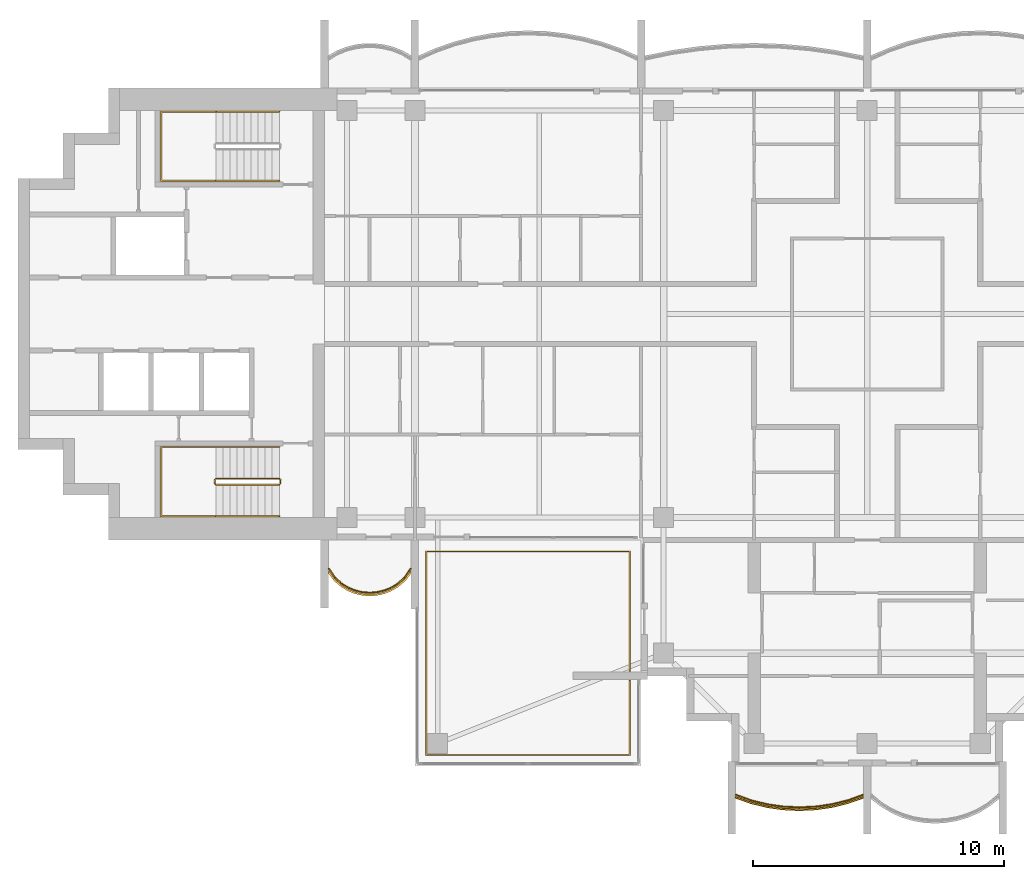
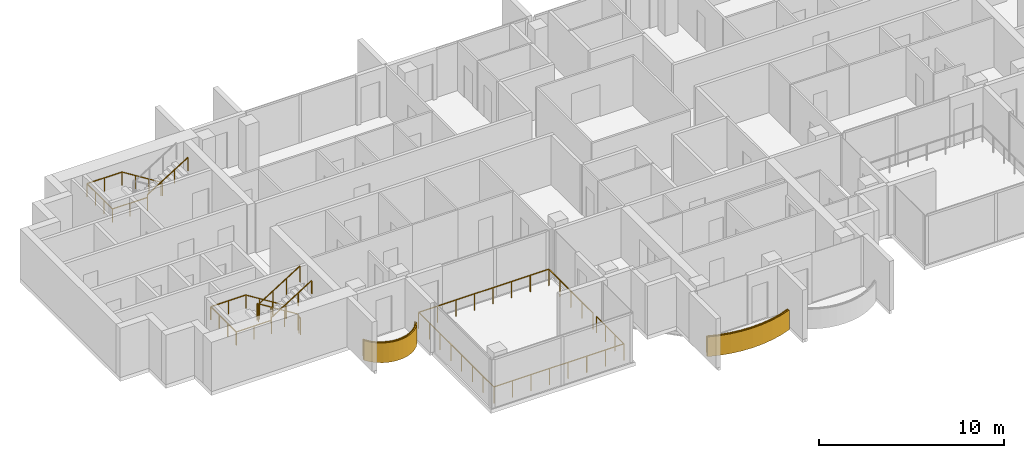
# One storey, part 13 of 16: 6 railings, 2 coverings.
"""IFC4 building model written with IfcOpenShell, lengths in metres."""

from ifc_helpers import new_model, si_unit, direction, frame, origin, origin_2d, place, context, subcontext, project, spatial, polyline, rectangle, outline, extrude, material, layer, layer_set, type_object, element, save


model = new_model("IFC4")

# Units and contexts
model_context = context("Model", 3, precision=1e-05, world=origin(), true_north=direction((0.0, 1.0)))
body_context = subcontext(model_context, "Body", "Model", "MODEL_VIEW")
ifc_project = project(units=[si_unit("LENGTHUNIT", "METRE"), si_unit("AREAUNIT", "SQUARE_METRE"), si_unit("VOLUMEUNIT", "CUBIC_METRE"), si_unit("PLANEANGLEUNIT", "RADIAN"), si_unit("MASSUNIT", "GRAM", prefix="KILO")], contexts=[model_context])

# Site, building, storey
site_placement = place(None, origin())
site = spatial("IfcSite", under=ifc_project, at=site_placement, CompositionType="ELEMENT")
building_placement = place(site_placement, origin())
building = spatial("IfcBuilding", under=site, at=building_placement, Name="Perihelion Cross Residences", CompositionType="ELEMENT")
storey_placement = place(building_placement, frame((0.0, 0.0, 257.0)))
storey = spatial("IfcBuildingStorey", under=building, at=storey_placement, Name="L65", CompositionType="ELEMENT", Elevation=257.0)

# Coverings
ifc_material_1 = material(Name="Bronze anodised aluminium", Category="aluminium")
ifc_layer = layer(ifc_material_1, 0.070068359375)
ifc_layer_set = layer_set([ifc_layer], Name="Balcony fascia 1300")
covering_type = type_object("IfcCoveringType", Name="Balcony fascia 1300", PredefinedType="CLADDING", material=ifc_layer_set)
covering_1_placement = place(storey_placement, frame((0.0, 0.0, -0.199951171875)))
element("IfcCovering", 1, at=covering_1_placement, inside=storey, type_object=covering_type, Name="Fascia BF1 L65 west side south bay 1", PredefinedType="CLADDING", context=body_context, shape_type="SweptSolid", body=[
    extrude(outline(polyline([(-21.226318359375, -10.616455078125), (-20.94091796875, -10.86328125), (-20.655517578125, -11.031494140625), (-20.370361328125, -11.142578125), (-20.085205078125, -11.206298828125), (-19.800048828125, -11.22705078125), (-19.514892578125, -11.206298828125), (-19.229736328125, -11.142578125), (-18.9443359375, -11.031494140625), (-18.6591796875, -10.86328125), (-18.373779296875, -10.616455078125), (-18.14990234375, -10.31689453125), (-18.14990234375, -10.199951171875), (-18.425048828125, -10.568603515625), (-18.699951171875, -10.806396484375), (-18.97509765625, -10.96875), (-19.25, -11.07568359375), (-19.52490234375, -11.136962890625), (-19.800048828125, -11.156982421875), (-20.074951171875, -11.136962890625), (-20.35009765625, -11.07568359375), (-20.625, -10.96875), (-20.89990234375, -10.806396484375), (-21.175048828125, -10.568603515625), (-21.449951171875, -10.199951171875), (-21.449951171875, -10.31689453125), (-21.226318359375, -10.616455078125)])), origin(), (0.0, 0.0, 1.0), 1.300048828125),
])
covering_2_placement = place(storey_placement, frame((0.0, 0.0, -0.199951171875)))
element("IfcCovering", 2, at=covering_2_placement, inside=storey, type_object=covering_type, Name="Fascia BF1 L65 south tip south bay 1", PredefinedType="CLADDING", context=body_context, shape_type="SweptSolid", body=[
    extrude(outline(polyline([(-4.63232421875, -19.49072265625), (-3.98828125, -19.647216796875), (-3.34423828125, -19.739501953125), (-2.699951171875, -19.77001953125), (-2.055908203125, -19.739501953125), (-1.411865234375, -19.647216796875), (-0.767578125, -19.49072265625), (-0.14990234375, -19.274169921875), (-0.14990234375, -19.199951171875), (-0.78759765625, -19.423583984375), (-1.425048828125, -19.57861328125), (-2.0625, -19.669921875), (-2.699951171875, -19.699951171875), (-3.33740234375, -19.669921875), (-3.97509765625, -19.57861328125), (-4.612548828125, -19.423583984375), (-5.25, -19.199951171875), (-5.25, -19.274169921875), (-4.63232421875, -19.49072265625)])), origin(), (0.0, 0.0, 1.0), 1.300048828125),
])

# Railings
ifc_material_2 = material(Name="Bronze anodised aluminium", Category="aluminium")
railing_type_1 = type_object("IfcRailingType", Name="Balcony guard 1100", PredefinedType="GUARDRAIL", material=ifc_material_2)
railing_1_placement = place(storey_placement, frame((-21.425048828125, -10.139892578125, 0.0)))
element("IfcRailing", 3, at=railing_1_placement, inside=storey, type_object=railing_type_1, Name="Guard GU1 L65 west side south bay 1 balcony", PredefinedType="GUARDRAIL", context=body_context, shape_type="SweptSolid", body=[
    extrude(rectangle(XDim=0.048095703125, YDim=0.048095703125, at=origin_2d()), frame((0.0, 0.0, 1.076171875), z_axis=(0.561260132269, -0.827639452857, 0.0), x_axis=(0.827639452857, 0.561260132269, 0.0)), (0.0, 0.0, 1.0), 0.4453125),
    extrude(rectangle(XDim=0.048095703125, YDim=0.048095703125, at=origin_2d()), frame((0.25, -0.36865234375, 1.076171875), z_axis=(0.756596535164, -0.653882009982, 0.0), x_axis=(0.653882009982, 0.756596535164, 0.0)), (0.0, 0.0, 1.0), 0.36376953125),
    extrude(rectangle(XDim=0.048095703125, YDim=0.048095703125, at=origin_2d()), frame((0.525146484375, -0.6064453125, 1.076171875), z_axis=(0.861048292884, -0.508523192511, 0.0), x_axis=(0.508523192511, 0.861048292884, 0.0)), (0.0, 0.0, 1.0), 0.3193359375),
    extrude(rectangle(XDim=0.048095703125, YDim=0.048095703125, at=origin_2d()), frame((0.800048828125, -0.768798828125, 1.076171875), z_axis=(0.931973602183, -0.362526143656, 0.0), x_axis=(0.362526143656, 0.931973602183, 0.0)), (0.0, 0.0, 1.0), 0.294921875),
    extrude(rectangle(XDim=0.048095703125, YDim=0.048095703125, at=origin_2d()), frame((1.074951171875, -0.875732421875, 1.076171875), z_axis=(0.976085059389, -0.21738895289, 0.0), x_axis=(0.21738895289, 0.976085059389, 0.0)), (0.0, 0.0, 1.0), 0.281982421875),
    extrude(rectangle(XDim=0.048095703125, YDim=0.048095703125, at=origin_2d()), frame((1.35009765625, -0.93701171875, 1.076171875), z_axis=(0.997358821833, -0.072631814734, 0.0), x_axis=(0.072631814734, 0.997358821833, 0.0)), (0.0, 0.0, 1.0), 0.275634765625),
    extrude(rectangle(XDim=0.048095703125, YDim=0.048095703125, at=origin_2d()), frame((1.625, -0.95703125, 1.076171875), z_axis=(0.997363488337, 0.072567707226, 0.0), x_axis=(-0.072567707226, 0.997363488337, 0.0)), (0.0, 0.0, 1.0), 0.27587890625),
    extrude(rectangle(XDim=0.048095703125, YDim=0.048095703125, at=origin_2d()), frame((1.900146484375, -0.93701171875, 1.076171875), z_axis=(0.976044077717, 0.217572880557, 0.0), x_axis=(-0.217572880557, 0.976044077717, 0.0)), (0.0, 0.0, 1.0), 0.28173828125),
    extrude(rectangle(XDim=0.048095703125, YDim=0.048095703125, at=origin_2d()), frame((2.175048828125, -0.875732421875, 1.076171875), z_axis=(0.931973602183, 0.362526143656, 0.0), x_axis=(-0.362526143656, 0.931973602183, 0.0)), (0.0, 0.0, 1.0), 0.294921875),
    extrude(rectangle(XDim=0.048095703125, YDim=0.048095703125, at=origin_2d()), frame((2.449951171875, -0.768798828125, 1.076171875), z_axis=(0.861245845072, 0.508188542123, 0.0), x_axis=(-0.508188542123, 0.861245845072, 0.0)), (0.0, 0.0, 1.0), 0.319580078125),
    extrude(rectangle(XDim=0.048095703125, YDim=0.048095703125, at=origin_2d()), frame((2.72509765625, -0.6064453125, 1.076171875), z_axis=(0.756309278473, 0.654214242658, 0.0), x_axis=(-0.654214242658, 0.756309278473, 0.0)), (0.0, 0.0, 1.0), 0.363525390625),
    extrude(rectangle(XDim=0.048095703125, YDim=0.048095703125, at=origin_2d()), frame((3.0, -0.36865234375, 1.076171875), z_axis=(0.561260132269, 0.827639452857, 0.0), x_axis=(-0.827639452857, 0.561260132269, 0.0)), (0.0, 0.0, 1.0), 0.4453125),
    extrude(rectangle(XDim=0.0419921875, YDim=0.0419921875, at=origin_2d()), origin(), (0.0, 0.0, 1.0), 1.052001953125),
    extrude(rectangle(XDim=0.0419921875, YDim=0.0419921875, at=origin_2d()), frame((0.25, -0.36865234375, 0.0)), (0.0, 0.0, 1.0), 1.052001953125),
    extrude(rectangle(XDim=0.0419921875, YDim=0.0419921875, at=origin_2d()), frame((0.525146484375, -0.6064453125, 0.0)), (0.0, 0.0, 1.0), 1.052001953125),
    extrude(rectangle(XDim=0.0419921875, YDim=0.0419921875, at=origin_2d()), frame((0.800048828125, -0.768798828125, 0.0)), (0.0, 0.0, 1.0), 1.052001953125),
    extrude(rectangle(XDim=0.0419921875, YDim=0.0419921875, at=origin_2d()), frame((1.074951171875, -0.875732421875, 0.0)), (0.0, 0.0, 1.0), 1.052001953125),
    extrude(rectangle(XDim=0.0419921875, YDim=0.0419921875, at=origin_2d()), frame((1.35009765625, -0.93701171875, 0.0)), (0.0, 0.0, 1.0), 1.052001953125),
    extrude(rectangle(XDim=0.0419921875, YDim=0.0419921875, at=origin_2d()), frame((1.625, -0.95703125, 0.0)), (0.0, 0.0, 1.0), 1.052001953125),
    extrude(rectangle(XDim=0.0419921875, YDim=0.0419921875, at=origin_2d()), frame((1.900146484375, -0.93701171875, 0.0)), (0.0, 0.0, 1.0), 1.052001953125),
    extrude(rectangle(XDim=0.0419921875, YDim=0.0419921875, at=origin_2d()), frame((2.175048828125, -0.875732421875, 0.0)), (0.0, 0.0, 1.0), 1.052001953125),
    extrude(rectangle(XDim=0.0419921875, YDim=0.0419921875, at=origin_2d()), frame((2.449951171875, -0.768798828125, 0.0)), (0.0, 0.0, 1.0), 1.052001953125),
    extrude(rectangle(XDim=0.0419921875, YDim=0.0419921875, at=origin_2d()), frame((2.72509765625, -0.6064453125, 0.0)), (0.0, 0.0, 1.0), 1.052001953125),
    extrude(rectangle(XDim=0.0419921875, YDim=0.0419921875, at=origin_2d()), frame((3.0, -0.36865234375, 0.0)), (0.0, 0.0, 1.0), 1.052001953125),
    extrude(rectangle(XDim=0.0419921875, YDim=0.0419921875, at=origin_2d()), frame((3.25, 0.0, 0.0)), (0.0, 0.0, 1.0), 1.052001953125),
])
railing_2_placement = place(storey_placement, frame((-5.22509765625, -19.139892578125, 0.0)))
element("IfcRailing", 4, at=railing_2_placement, inside=storey, type_object=railing_type_1, Name="Guard GU1 L65 south tip south bay 1 balcony", PredefinedType="GUARDRAIL", context=body_context, shape_type="SweptSolid", body=[
    extrude(rectangle(XDim=0.048095703125, YDim=0.048095703125, at=origin_2d()), frame((0.0, 0.0, 1.076171875), z_axis=(0.939355405384, -0.342945217749, 0.0), x_axis=(0.342945217749, 0.939355405384, 0.0)), (0.0, 0.0, 1.0), 0.652099609375),
    extrude(rectangle(XDim=0.048095703125, YDim=0.048095703125, at=origin_2d()), frame((0.612548828125, -0.2236328125, 1.076171875), z_axis=(0.971676841941, -0.236313594268, 0.0), x_axis=(0.236313594268, 0.971676841941, 0.0)), (0.0, 0.0, 1.0), 0.656005859375),
    extrude(rectangle(XDim=0.048095703125, YDim=0.048095703125, at=origin_2d()), frame((1.25, -0.378662109375, 1.076171875), z_axis=(0.989903964498, -0.141739694763, 0.0), x_axis=(0.141739694763, 0.989903964498, 0.0)), (0.0, 0.0, 1.0), 0.644287109375),
    extrude(rectangle(XDim=0.048095703125, YDim=0.048095703125, at=origin_2d()), frame((1.8876953125, -0.469970703125, 1.076171875), z_axis=(0.998892243319, -0.04705620296, 0.0), x_axis=(0.04705620296, 0.998892243319, 0.0)), (0.0, 0.0, 1.0), 0.63818359375),
    extrude(rectangle(XDim=0.048095703125, YDim=0.048095703125, at=origin_2d()), frame((2.525146484375, -0.5, 1.076171875), z_axis=(0.998892243319, 0.04705620296, 0.0), x_axis=(-0.04705620296, 0.998892243319, 0.0)), (0.0, 0.0, 1.0), 0.63818359375),
    extrude(rectangle(XDim=0.048095703125, YDim=0.048095703125, at=origin_2d()), frame((3.16259765625, -0.469970703125, 1.076171875), z_axis=(0.989896346386, 0.141792889142, 0.0), x_axis=(-0.141792889142, 0.989896346386, 0.0)), (0.0, 0.0, 1.0), 0.64404296875),
    extrude(rectangle(XDim=0.048095703125, YDim=0.048095703125, at=origin_2d()), frame((3.800048828125, -0.378662109375, 1.076171875), z_axis=(0.971676841941, 0.236313594268, 0.0), x_axis=(-0.236313594268, 0.971676841941, 0.0)), (0.0, 0.0, 1.0), 0.656005859375),
    extrude(rectangle(XDim=0.048095703125, YDim=0.048095703125, at=origin_2d()), frame((4.4375, -0.2236328125, 1.076171875), z_axis=(0.939355405384, 0.342945217749, 0.0), x_axis=(-0.342945217749, 0.939355405384, 0.0)), (0.0, 0.0, 1.0), 0.652099609375),
    extrude(rectangle(XDim=0.0419921875, YDim=0.0419921875, at=origin_2d()), origin(), (0.0, 0.0, 1.0), 1.052001953125),
    extrude(rectangle(XDim=0.0419921875, YDim=0.0419921875, at=origin_2d()), frame((0.612548828125, -0.2236328125, 0.0)), (0.0, 0.0, 1.0), 1.052001953125),
    extrude(rectangle(XDim=0.0419921875, YDim=0.0419921875, at=origin_2d()), frame((1.25, -0.378662109375, 0.0)), (0.0, 0.0, 1.0), 1.052001953125),
    extrude(rectangle(XDim=0.0419921875, YDim=0.0419921875, at=origin_2d()), frame((1.8876953125, -0.469970703125, 0.0)), (0.0, 0.0, 1.0), 1.052001953125),
    extrude(rectangle(XDim=0.0419921875, YDim=0.0419921875, at=origin_2d()), frame((2.525146484375, -0.5, 0.0)), (0.0, 0.0, 1.0), 1.052001953125),
    extrude(rectangle(XDim=0.0419921875, YDim=0.0419921875, at=origin_2d()), frame((3.16259765625, -0.469970703125, 0.0)), (0.0, 0.0, 1.0), 1.052001953125),
    extrude(rectangle(XDim=0.0419921875, YDim=0.0419921875, at=origin_2d()), frame((3.800048828125, -0.378662109375, 0.0)), (0.0, 0.0, 1.0), 1.052001953125),
    extrude(rectangle(XDim=0.0419921875, YDim=0.0419921875, at=origin_2d()), frame((4.4375, -0.2236328125, 0.0)), (0.0, 0.0, 1.0), 1.052001953125),
    extrude(rectangle(XDim=0.0419921875, YDim=0.0419921875, at=origin_2d()), frame((5.050048828125, 0.0, 0.0)), (0.0, 0.0, 1.0), 1.052001953125),
])
railing_3_placement = place(storey_placement, frame((-9.449951171875, -14.590087890625, 0.0)))
element("IfcRailing", 5, at=railing_3_placement, inside=storey, type_object=railing_type_1, Name="Guard GU1 L65 pocket south-west 1", PredefinedType="GUARDRAIL", context=body_context, shape_type="SweptSolid", body=[
    extrude(rectangle(XDim=0.048095703125, YDim=0.048095703125, at=origin_2d()), frame((0.0, 0.0, 1.076171875), z_axis=(0.0, -1.0, 0.0), x_axis=(1.0, 0.0, 0.0)), (0.0, 0.0, 1.0), 2.9599609375),
    extrude(rectangle(XDim=0.048095703125, YDim=0.048095703125, at=origin_2d()), frame((0.0, -2.9599609375, 1.076171875), z_axis=(-1.0, 0.0, 0.0), x_axis=(0.0, -1.0, 0.0)), (0.0, 0.0, 1.0), 8.10009765625),
    extrude(rectangle(XDim=0.048095703125, YDim=0.048095703125, at=origin_2d()), frame((-8.10009765625, -2.9599609375, 1.076171875), z_axis=(0.0, 1.0, 0.0), x_axis=(-1.0, 0.0, 0.0)), (0.0, 0.0, 1.0), 8.10009765625),
    extrude(rectangle(XDim=0.048095703125, YDim=0.048095703125, at=origin_2d()), frame((-8.10009765625, 5.14013671875, 1.076171875), z_axis=(1.0, 0.0, 0.0), x_axis=(0.0, 1.0, 0.0)), (0.0, 0.0, 1.0), 8.10009765625),
    extrude(rectangle(XDim=0.048095703125, YDim=0.048095703125, at=origin_2d()), frame((0.0, 5.14013671875, 1.076171875), z_axis=(0.0, -1.0, 0.0), x_axis=(1.0, 0.0, 0.0)), (0.0, 0.0, 1.0), 4.760009765625),
    extrude(rectangle(XDim=0.0419921875, YDim=0.0419921875, at=origin_2d()), origin(), (0.0, 0.0, 1.0), 1.052001953125),
    extrude(rectangle(XDim=0.0419921875, YDim=0.0419921875, at=origin_2d()), frame((0.0, -0.986572265625, 0.0)), (0.0, 0.0, 1.0), 1.052001953125),
    extrude(rectangle(XDim=0.0419921875, YDim=0.0419921875, at=origin_2d()), frame((0.0, -1.973388671875, 0.0)), (0.0, 0.0, 1.0), 1.052001953125),
    extrude(rectangle(XDim=0.0419921875, YDim=0.0419921875, at=origin_2d()), frame((0.0, -2.9599609375, 0.0)), (0.0, 0.0, 1.0), 1.052001953125),
    extrude(rectangle(XDim=0.0419921875, YDim=0.0419921875, at=origin_2d()), frame((-1.1572265625, -2.9599609375, 0.0)), (0.0, 0.0, 1.0), 1.052001953125),
    extrude(rectangle(XDim=0.0419921875, YDim=0.0419921875, at=origin_2d()), frame((-2.314208984375, -2.9599609375, 0.0)), (0.0, 0.0, 1.0), 1.052001953125),
    extrude(rectangle(XDim=0.0419921875, YDim=0.0419921875, at=origin_2d()), frame((-3.471435546875, -2.9599609375, 0.0)), (0.0, 0.0, 1.0), 1.052001953125),
    extrude(rectangle(XDim=0.0419921875, YDim=0.0419921875, at=origin_2d()), frame((-4.628662109375, -2.9599609375, 0.0)), (0.0, 0.0, 1.0), 1.052001953125),
    extrude(rectangle(XDim=0.0419921875, YDim=0.0419921875, at=origin_2d()), frame((-5.785888671875, -2.9599609375, 0.0)), (0.0, 0.0, 1.0), 1.052001953125),
    extrude(rectangle(XDim=0.0419921875, YDim=0.0419921875, at=origin_2d()), frame((-6.94287109375, -2.9599609375, 0.0)), (0.0, 0.0, 1.0), 1.052001953125),
    extrude(rectangle(XDim=0.0419921875, YDim=0.0419921875, at=origin_2d()), frame((-8.10009765625, -2.9599609375, 0.0)), (0.0, 0.0, 1.0), 1.052001953125),
    extrude(rectangle(XDim=0.0419921875, YDim=0.0419921875, at=origin_2d()), frame((-8.10009765625, -1.802734375, 0.0)), (0.0, 0.0, 1.0), 1.052001953125),
    extrude(rectangle(XDim=0.0419921875, YDim=0.0419921875, at=origin_2d()), frame((-8.10009765625, -0.645751953125, 0.0)), (0.0, 0.0, 1.0), 1.052001953125),
    extrude(rectangle(XDim=0.0419921875, YDim=0.0419921875, at=origin_2d()), frame((-8.10009765625, 0.511474609375, 0.0)), (0.0, 0.0, 1.0), 1.052001953125),
    extrude(rectangle(XDim=0.0419921875, YDim=0.0419921875, at=origin_2d()), frame((-8.10009765625, 1.668701171875, 0.0)), (0.0, 0.0, 1.0), 1.052001953125),
    extrude(rectangle(XDim=0.0419921875, YDim=0.0419921875, at=origin_2d()), frame((-8.10009765625, 2.825927734375, 0.0)), (0.0, 0.0, 1.0), 1.052001953125),
    extrude(rectangle(XDim=0.0419921875, YDim=0.0419921875, at=origin_2d()), frame((-8.10009765625, 3.98291015625, 0.0)), (0.0, 0.0, 1.0), 1.052001953125),
    extrude(rectangle(XDim=0.0419921875, YDim=0.0419921875, at=origin_2d()), frame((-8.10009765625, 5.14013671875, 0.0)), (0.0, 0.0, 1.0), 1.052001953125),
    extrude(rectangle(XDim=0.0419921875, YDim=0.0419921875, at=origin_2d()), frame((-6.94287109375, 5.14013671875, 0.0)), (0.0, 0.0, 1.0), 1.052001953125),
    extrude(rectangle(XDim=0.0419921875, YDim=0.0419921875, at=origin_2d()), frame((-5.785888671875, 5.14013671875, 0.0)), (0.0, 0.0, 1.0), 1.052001953125),
    extrude(rectangle(XDim=0.0419921875, YDim=0.0419921875, at=origin_2d()), frame((-4.628662109375, 5.14013671875, 0.0)), (0.0, 0.0, 1.0), 1.052001953125),
    extrude(rectangle(XDim=0.0419921875, YDim=0.0419921875, at=origin_2d()), frame((-3.471435546875, 5.14013671875, 0.0)), (0.0, 0.0, 1.0), 1.052001953125),
    extrude(rectangle(XDim=0.0419921875, YDim=0.0419921875, at=origin_2d()), frame((-2.314208984375, 5.14013671875, 0.0)), (0.0, 0.0, 1.0), 1.052001953125),
    extrude(rectangle(XDim=0.0419921875, YDim=0.0419921875, at=origin_2d()), frame((-1.1572265625, 5.14013671875, 0.0)), (0.0, 0.0, 1.0), 1.052001953125),
    extrude(rectangle(XDim=0.0419921875, YDim=0.0419921875, at=origin_2d()), frame((0.0, 5.14013671875, 0.0)), (0.0, 0.0, 1.0), 1.052001953125),
    extrude(rectangle(XDim=0.0419921875, YDim=0.0419921875, at=origin_2d()), frame((0.0, 3.9501953125, 0.0)), (0.0, 0.0, 1.0), 1.052001953125),
    extrude(rectangle(XDim=0.0419921875, YDim=0.0419921875, at=origin_2d()), frame((0.0, 2.76025390625, 0.0)), (0.0, 0.0, 1.0), 1.052001953125),
    extrude(rectangle(XDim=0.0419921875, YDim=0.0419921875, at=origin_2d()), frame((0.0, 1.570068359375, 0.0)), (0.0, 0.0, 1.0), 1.052001953125),
    extrude(rectangle(XDim=0.0419921875, YDim=0.0419921875, at=origin_2d()), frame((0.0, 0.380126953125, 0.0)), (0.0, 0.0, 1.0), 1.052001953125),
])
ifc_material_3 = material(Name="Stainless steel", Category="steel")
railing_type_2 = type_object("IfcRailingType", Name="Stair guard 1100", PredefinedType="GUARDRAIL", material=ifc_material_3)
railing_4_placement = place(storey_placement, frame((-23.35009765625, -6.75, 0.0)))
element("IfcRailing", 6, at=railing_4_placement, inside=storey, type_object=railing_type_2, Name="L65 ST-W2 stair guard 1", PredefinedType="GUARDRAIL", context=body_context, shape_type="SweptSolid", body=[
    extrude(rectangle(XDim=0.048095703125, YDim=0.048095703125, at=origin_2d()), frame((0.0, 0.0, 1.076171875), z_axis=(0.0, 1.0, 0.0), x_axis=(-1.0, 0.0, 0.0)), (0.0, 0.0, 1.0), 0.14990234375),
    extrude(rectangle(XDim=0.048095703125, YDim=0.048095703125, at=origin_2d()), frame((0.0, 0.14990234375, 1.076171875), z_axis=(-0.263862480399, 0.265155923931, 0.927399011991), x_axis=(-0.708833529934, -0.705375805398, 0.0)), (0.0, 0.0, 1.0), 0.188720703125),
    extrude(rectangle(XDim=0.048095703125, YDim=0.048095703125, at=origin_2d()), frame((-0.0498046875, 0.199951171875, 1.2509765625), z_axis=(-0.848007534815, 0.0, 0.529984170421), x_axis=(0.0, -1.0, 0.0)), (0.0, 0.0, 1.0), 2.9716796875),
    extrude(rectangle(XDim=0.048095703125, YDim=0.048095703125, at=origin_2d()), frame((-2.56982421875, 0.199951171875, 2.826171875), z_axis=(-0.707106781187, -0.707106781187, 0.0), x_axis=(0.707106781187, -0.707106781187, 0.0)), (0.0, 0.0, 1.0), 0.07080078125),
    extrude(rectangle(XDim=0.048095703125, YDim=0.048095703125, at=origin_2d()), frame((-2.619873046875, 0.14990234375, 2.826171875), z_axis=(0.0, -1.0, 0.0), x_axis=(1.0, 0.0, 0.0)), (0.0, 0.0, 1.0), 0.14990234375),
    extrude(rectangle(XDim=0.048095703125, YDim=0.048095703125, at=origin_2d()), frame((-2.619873046875, 0.0, 2.826171875), z_axis=(0.265065253269, -0.265065253269, 0.927081885822), x_axis=(0.707106781187, 0.707106781187, 0.0)), (0.0, 0.0, 1.0), 0.188720703125),
    extrude(rectangle(XDim=0.048095703125, YDim=0.048095703125, at=origin_2d()), frame((-2.56982421875, -0.050048828125, 3.0009765625), z_axis=(0.848007534815, 0.0, 0.529984170421), x_axis=(0.0, 1.0, 0.0)), (0.0, 0.0, 1.0), 2.9716796875),
    extrude(rectangle(XDim=0.0419921875, YDim=0.0419921875, at=origin_2d()), origin(), (0.0, 0.0, 1.0), 1.052001953125),
    extrude(rectangle(XDim=0.0419921875, YDim=0.0419921875, at=origin_2d()), frame((0.0, 0.14990234375, 0.0)), (0.0, 0.0, 1.0), 1.052001953125),
    extrude(rectangle(XDim=0.0419921875, YDim=0.0419921875, at=origin_2d()), frame((-0.0498046875, 0.199951171875, 0.175048828125)), (0.0, 0.0, 1.0), 1.052001953125),
    extrude(rectangle(XDim=0.0419921875, YDim=0.0419921875, at=origin_2d()), frame((-0.889892578125, 0.199951171875, 0.699951171875)), (0.0, 0.0, 1.0), 1.052001953125),
    extrude(rectangle(XDim=0.0419921875, YDim=0.0419921875, at=origin_2d()), frame((-1.729736328125, 0.199951171875, 1.22509765625)), (0.0, 0.0, 1.0), 1.052001953125),
    extrude(rectangle(XDim=0.0419921875, YDim=0.0419921875, at=origin_2d()), frame((-2.56982421875, 0.199951171875, 1.75)), (0.0, 0.0, 1.0), 1.052001953125),
    extrude(rectangle(XDim=0.0419921875, YDim=0.0419921875, at=origin_2d()), frame((-2.619873046875, 0.14990234375, 1.75)), (0.0, 0.0, 1.0), 1.052001953125),
    extrude(rectangle(XDim=0.0419921875, YDim=0.0419921875, at=origin_2d()), frame((-2.619873046875, 0.0, 1.75)), (0.0, 0.0, 1.0), 1.052001953125),
    extrude(rectangle(XDim=0.0419921875, YDim=0.0419921875, at=origin_2d()), frame((-2.56982421875, -0.050048828125, 1.925048828125)), (0.0, 0.0, 1.0), 1.052001953125),
    extrude(rectangle(XDim=0.0419921875, YDim=0.0419921875, at=origin_2d()), frame((-1.729736328125, -0.050048828125, 2.449951171875)), (0.0, 0.0, 1.0), 1.052001953125),
    extrude(rectangle(XDim=0.0419921875, YDim=0.0419921875, at=origin_2d()), frame((-0.889892578125, -0.050048828125, 2.97509765625)), (0.0, 0.0, 1.0), 1.052001953125),
    extrude(rectangle(XDim=0.0419921875, YDim=0.0419921875, at=origin_2d()), frame((-0.0498046875, -0.050048828125, 3.5)), (0.0, 0.0, 1.0), 1.052001953125),
])
ifc_material_4 = material(Name="Stainless steel", Category="steel")
railing_type_3 = type_object("IfcRailingType", Name="Stair handrail 900", PredefinedType="HANDRAIL", material=ifc_material_4)
railing_5_placement = place(storey_placement, frame((-23.39990234375, 8.050048828125, 0.175048828125)))
element("IfcRailing", 7, at=railing_5_placement, inside=storey, type_object=railing_type_3, Name="L65 ST-W1 stair handrail 1", PredefinedType="HANDRAIL", context=body_context, shape_type="SweptSolid", body=[
    extrude(rectangle(XDim=0.048095703125, YDim=0.048095703125, at=origin_2d()), frame((0.0, 0.0, 0.8759765625), z_axis=(-0.848007534815, 0.0, 0.529984170421), x_axis=(0.0, -1.0, 0.0)), (0.0, 0.0, 1.0), 2.9716796875),
    extrude(rectangle(XDim=0.048095703125, YDim=0.048095703125, at=origin_2d()), frame((-2.52001953125, 0.0, 2.45068359375), z_axis=(-1.0, 0.0, 0.0), x_axis=(0.0, -1.0, 0.0)), (0.0, 0.0, 1.0), 2.18017578125),
    extrude(rectangle(XDim=0.048095703125, YDim=0.048095703125, at=origin_2d()), frame((-4.7001953125, 0.0, 2.45068359375), z_axis=(0.0, -1.0, 0.0), x_axis=(1.0, 0.0, 0.0)), (0.0, 0.0, 1.0), 2.75),
    extrude(rectangle(XDim=0.048095703125, YDim=0.048095703125, at=origin_2d()), frame((-4.7001953125, -2.75, 2.45068359375), z_axis=(1.0, 0.0, 0.0), x_axis=(0.0, 1.0, 0.0)), (0.0, 0.0, 1.0), 2.18017578125),
    extrude(rectangle(XDim=0.048095703125, YDim=0.048095703125, at=origin_2d()), frame((-2.52001953125, -2.75, 2.45068359375), z_axis=(0.0, 0.0, 1.0), x_axis=(1.0, 0.0, 0.0)), (0.0, 0.0, 1.0), 0.175048828125),
    extrude(rectangle(XDim=0.048095703125, YDim=0.048095703125, at=origin_2d()), frame((-2.52001953125, -2.75, 2.6259765625), z_axis=(0.848007534815, 0.0, 0.529984170421), x_axis=(0.0, 1.0, 0.0)), (0.0, 0.0, 1.0), 2.9716796875),
    extrude(rectangle(XDim=0.0419921875, YDim=0.0419921875, at=origin_2d()), origin(), (0.0, 0.0, 1.0), 0.851806640625),
    extrude(rectangle(XDim=0.0419921875, YDim=0.0419921875, at=origin_2d()), frame((-0.840087890625, 0.0, 0.52490234375)), (0.0, 0.0, 1.0), 0.851806640625),
    extrude(rectangle(XDim=0.0419921875, YDim=0.0419921875, at=origin_2d()), frame((-1.679931640625, 0.0, 1.050048828125)), (0.0, 0.0, 1.0), 0.851806640625),
    extrude(rectangle(XDim=0.0419921875, YDim=0.0419921875, at=origin_2d()), frame((-2.52001953125, 0.0, 1.574951171875)), (0.0, 0.0, 1.0), 0.851806640625),
    extrude(rectangle(XDim=0.0419921875, YDim=0.0419921875, at=origin_2d()), frame((-3.610107421875, 0.0, 1.574951171875)), (0.0, 0.0, 1.0), 0.851806640625),
    extrude(rectangle(XDim=0.0419921875, YDim=0.0419921875, at=origin_2d()), frame((-4.7001953125, 0.0, 1.574951171875)), (0.0, 0.0, 1.0), 0.851806640625),
    extrude(rectangle(XDim=0.0419921875, YDim=0.0419921875, at=origin_2d()), frame((-4.7001953125, -0.916748046875, 1.574951171875)), (0.0, 0.0, 1.0), 0.851806640625),
    extrude(rectangle(XDim=0.0419921875, YDim=0.0419921875, at=origin_2d()), frame((-4.7001953125, -1.833251953125, 1.574951171875)), (0.0, 0.0, 1.0), 0.851806640625),
    extrude(rectangle(XDim=0.0419921875, YDim=0.0419921875, at=origin_2d()), frame((-4.7001953125, -2.75, 1.574951171875)), (0.0, 0.0, 1.0), 0.851806640625),
    extrude(rectangle(XDim=0.0419921875, YDim=0.0419921875, at=origin_2d()), frame((-3.610107421875, -2.75, 1.574951171875)), (0.0, 0.0, 1.0), 0.851806640625),
    extrude(rectangle(XDim=0.0419921875, YDim=0.0419921875, at=origin_2d()), frame((-2.52001953125, -2.75, 1.574951171875)), (0.0, 0.0, 1.0), 0.851806640625),
    extrude(rectangle(XDim=0.0419921875, YDim=0.0419921875, at=origin_2d()), frame((-2.52001953125, -2.75, 1.75)), (0.0, 0.0, 1.0), 0.851806640625),
    extrude(rectangle(XDim=0.0419921875, YDim=0.0419921875, at=origin_2d()), frame((-1.679931640625, -2.75, 2.27490234375)), (0.0, 0.0, 1.0), 0.851806640625),
    extrude(rectangle(XDim=0.0419921875, YDim=0.0419921875, at=origin_2d()), frame((-0.840087890625, -2.75, 2.800048828125)), (0.0, 0.0, 1.0), 0.851806640625),
    extrude(rectangle(XDim=0.0419921875, YDim=0.0419921875, at=origin_2d()), frame((0.0, -2.75, 3.324951171875)), (0.0, 0.0, 1.0), 0.851806640625),
])
railing_6_placement = place(storey_placement, frame((-23.39990234375, -5.300048828125, 0.175048828125)))
element("IfcRailing", 8, at=railing_6_placement, inside=storey, type_object=railing_type_3, Name="L65 ST-W2 stair handrail 1", PredefinedType="HANDRAIL", context=body_context, shape_type="SweptSolid", body=[
    extrude(rectangle(XDim=0.048095703125, YDim=0.048095703125, at=origin_2d()), frame((0.0, 0.0, 0.8759765625), z_axis=(-0.848007534815, 0.0, 0.529984170421), x_axis=(0.0, -1.0, 0.0)), (0.0, 0.0, 1.0), 2.9716796875),
    extrude(rectangle(XDim=0.048095703125, YDim=0.048095703125, at=origin_2d()), frame((-2.52001953125, 0.0, 2.45068359375), z_axis=(-1.0, 0.0, 0.0), x_axis=(0.0, -1.0, 0.0)), (0.0, 0.0, 1.0), 2.18017578125),
    extrude(rectangle(XDim=0.048095703125, YDim=0.048095703125, at=origin_2d()), frame((-4.7001953125, 0.0, 2.45068359375), z_axis=(0.0, -1.0, 0.0), x_axis=(1.0, 0.0, 0.0)), (0.0, 0.0, 1.0), 2.75),
    extrude(rectangle(XDim=0.048095703125, YDim=0.048095703125, at=origin_2d()), frame((-4.7001953125, -2.75, 2.45068359375), z_axis=(1.0, 0.0, 0.0), x_axis=(0.0, 1.0, 0.0)), (0.0, 0.0, 1.0), 2.18017578125),
    extrude(rectangle(XDim=0.048095703125, YDim=0.048095703125, at=origin_2d()), frame((-2.52001953125, -2.75, 2.45068359375), z_axis=(0.0, 0.0, 1.0), x_axis=(1.0, 0.0, 0.0)), (0.0, 0.0, 1.0), 0.175048828125),
    extrude(rectangle(XDim=0.048095703125, YDim=0.048095703125, at=origin_2d()), frame((-2.52001953125, -2.75, 2.6259765625), z_axis=(0.848007534815, 0.0, 0.529984170421), x_axis=(0.0, 1.0, 0.0)), (0.0, 0.0, 1.0), 2.9716796875),
    extrude(rectangle(XDim=0.0419921875, YDim=0.0419921875, at=origin_2d()), origin(), (0.0, 0.0, 1.0), 0.851806640625),
    extrude(rectangle(XDim=0.0419921875, YDim=0.0419921875, at=origin_2d()), frame((-0.840087890625, 0.0, 0.52490234375)), (0.0, 0.0, 1.0), 0.851806640625),
    extrude(rectangle(XDim=0.0419921875, YDim=0.0419921875, at=origin_2d()), frame((-1.679931640625, 0.0, 1.050048828125)), (0.0, 0.0, 1.0), 0.851806640625),
    extrude(rectangle(XDim=0.0419921875, YDim=0.0419921875, at=origin_2d()), frame((-2.52001953125, 0.0, 1.574951171875)), (0.0, 0.0, 1.0), 0.851806640625),
    extrude(rectangle(XDim=0.0419921875, YDim=0.0419921875, at=origin_2d()), frame((-3.610107421875, 0.0, 1.574951171875)), (0.0, 0.0, 1.0), 0.851806640625),
    extrude(rectangle(XDim=0.0419921875, YDim=0.0419921875, at=origin_2d()), frame((-4.7001953125, 0.0, 1.574951171875)), (0.0, 0.0, 1.0), 0.851806640625),
    extrude(rectangle(XDim=0.0419921875, YDim=0.0419921875, at=origin_2d()), frame((-4.7001953125, -0.916748046875, 1.574951171875)), (0.0, 0.0, 1.0), 0.851806640625),
    extrude(rectangle(XDim=0.0419921875, YDim=0.0419921875, at=origin_2d()), frame((-4.7001953125, -1.833251953125, 1.574951171875)), (0.0, 0.0, 1.0), 0.851806640625),
    extrude(rectangle(XDim=0.0419921875, YDim=0.0419921875, at=origin_2d()), frame((-4.7001953125, -2.75, 1.574951171875)), (0.0, 0.0, 1.0), 0.851806640625),
    extrude(rectangle(XDim=0.0419921875, YDim=0.0419921875, at=origin_2d()), frame((-3.610107421875, -2.75, 1.574951171875)), (0.0, 0.0, 1.0), 0.851806640625),
    extrude(rectangle(XDim=0.0419921875, YDim=0.0419921875, at=origin_2d()), frame((-2.52001953125, -2.75, 1.574951171875)), (0.0, 0.0, 1.0), 0.851806640625),
    extrude(rectangle(XDim=0.0419921875, YDim=0.0419921875, at=origin_2d()), frame((-2.52001953125, -2.75, 1.75)), (0.0, 0.0, 1.0), 0.851806640625),
    extrude(rectangle(XDim=0.0419921875, YDim=0.0419921875, at=origin_2d()), frame((-1.679931640625, -2.75, 2.27490234375)), (0.0, 0.0, 1.0), 0.851806640625),
    extrude(rectangle(XDim=0.0419921875, YDim=0.0419921875, at=origin_2d()), frame((-0.840087890625, -2.75, 2.800048828125)), (0.0, 0.0, 1.0), 0.851806640625),
    extrude(rectangle(XDim=0.0419921875, YDim=0.0419921875, at=origin_2d()), frame((0.0, -2.75, 3.324951171875)), (0.0, 0.0, 1.0), 0.851806640625),
])

save(model, "model.ifc")
